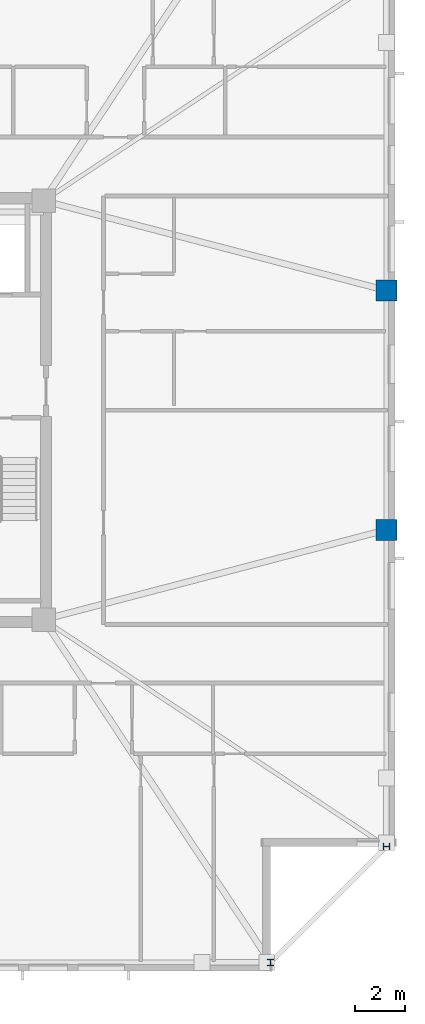
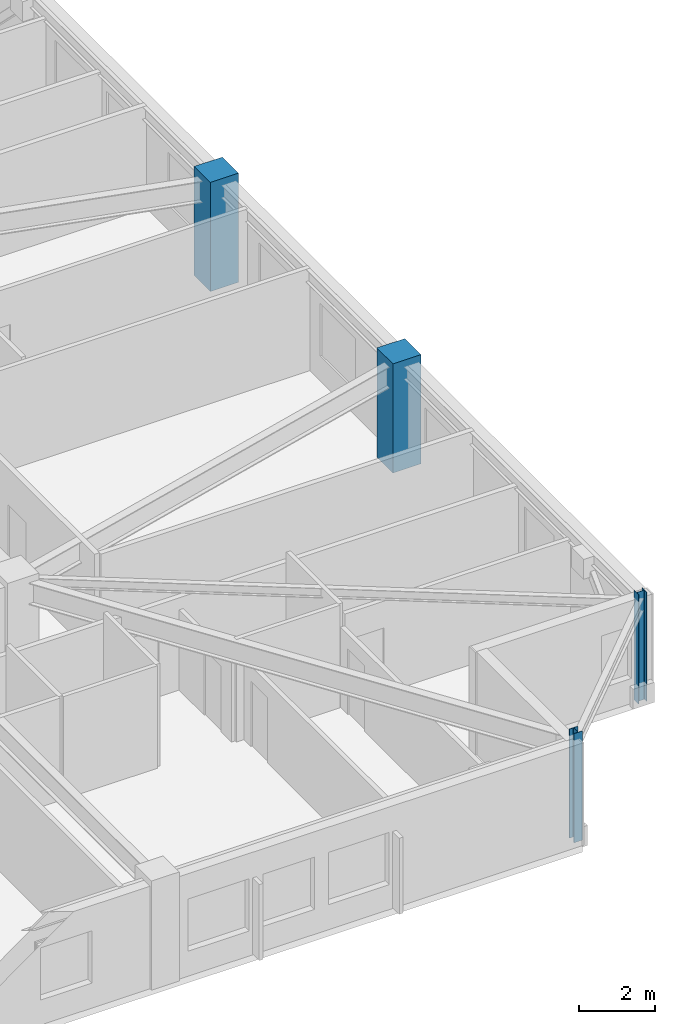
# One storey, part 3 of 17: 4 columns.
"""IFC4 building model written with IfcOpenShell, lengths in metres."""

from ifc_helpers import new_model, si_unit, direction, frame, origin, origin_2d, place, context, subcontext, project, spatial, rectangle, i_section, extrude, material, material_profile, profile_set, type_object, element, save


model = new_model("IFC4")

# Units and contexts
model_context = context("Model", 3, precision=1e-05, world=origin(), true_north=direction((0.0, 1.0)))
body_context = subcontext(model_context, "Body", "Model", "MODEL_VIEW")
ifc_project = project(units=[si_unit("LENGTHUNIT", "METRE"), si_unit("AREAUNIT", "SQUARE_METRE"), si_unit("VOLUMEUNIT", "CUBIC_METRE"), si_unit("PLANEANGLEUNIT", "RADIAN"), si_unit("MASSUNIT", "GRAM", prefix="KILO")], contexts=[model_context])

# Site, building, storey
site_placement = place(None, origin())
site = spatial("IfcSite", under=ifc_project, at=site_placement, CompositionType="ELEMENT")
building_placement = place(site_placement, origin())
building = spatial("IfcBuilding", under=site, at=building_placement, Name="Cairnveth Concourse Tower", CompositionType="ELEMENT")
storey_placement = place(building_placement, frame((0.0, 0.0, 202.5)))
storey = spatial("IfcBuildingStorey", under=building, at=storey_placement, Name="L55", CompositionType="ELEMENT", Elevation=202.5)

# Columns
ifc_material_1 = material(Name="Concrete N65 (65 MPa)", Category="concrete")
ifc_material_profile_1 = material_profile(ifc_material_1, rectangle(XDim=0.85009765625, YDim=0.85009765625, at=origin_2d()), Name="RC-COL-850x850")
ifc_profile_set_1 = profile_set([ifc_material_profile_1], Name="Concrete N65 (65 MPa)")
column_type_1 = type_object("IfcColumnType", Name="PERIMETER PIER COLUMN 850X850", PredefinedType="COLUMN", material=ifc_profile_set_1)
for number, where, z_axis, x_axis, name in (
    (1, (74.14990234375, 34.199951171875, 0.0), (0.0, 0.0, 1.0), (0.0, 1.0, 0.0), "Column P-E2 L55"),
    (2, (74.14990234375, 43.800048828125, 0.0), (0.0, 0.0, 1.0), (0.0, 1.0, 0.0), "Column P-E3 L55"),
):
    element("IfcColumn", number, at=place(storey_placement, frame(where, z_axis=z_axis, x_axis=x_axis)), inside=storey, type_object=column_type_1, Name=name, PredefinedType="COLUMN", context=body_context, shape_type="SweptSolid", body=[
        extrude(rectangle(XDim=0.85009765625, YDim=0.85009765625, at=origin_2d()), origin(), (0.0, 0.0, 1.0), 3.5),
    ])
ifc_material_2 = material(Name="Steel Grade 350", Category="steel")
ifc_material_profile_2 = material_profile(ifc_material_2, i_section(OverallWidth=0.256103515625, OverallDepth=0.260009765625, WebThickness=0.010498046875, FlangeThickness=0.017333984375, FilletRadius=0.012939453125, at=origin_2d()), Name="250UC89.5")
ifc_profile_set_2 = profile_set([ifc_material_profile_2], Name="Steel Grade 350")
column_type_2 = type_object("IfcColumnType", Name="UNIVERSAL STEEL COLUMN 250UC89.5", PredefinedType="COLUMN", material=ifc_profile_set_2)
for number, where, z_axis, x_axis, name in (
    (3, (69.5, 16.85009765625, 0.0), (0.0, 0.0, 1.0), (1.0, 0.0, 0.0), "Column P-S4 L55"),
    (4, (74.14990234375, 21.5, 0.0), (0.0, 0.0, 1.0), (0.0, 1.0, 0.0), "Column P-E1 L55"),
):
    element("IfcColumn", number, at=place(storey_placement, frame(where, z_axis=z_axis, x_axis=x_axis)), inside=storey, type_object=column_type_2, Name=name, PredefinedType="COLUMN", context=body_context, shape_type="SweptSolid", body=[
        extrude(i_section(OverallWidth=0.256103515625, OverallDepth=0.260009765625, WebThickness=0.010498046875, FlangeThickness=0.017333984375, FilletRadius=0.012939453125, at=origin_2d()), origin(), (0.0, 0.0, 1.0), 3.5),
    ])

save(model, "model.ifc")
